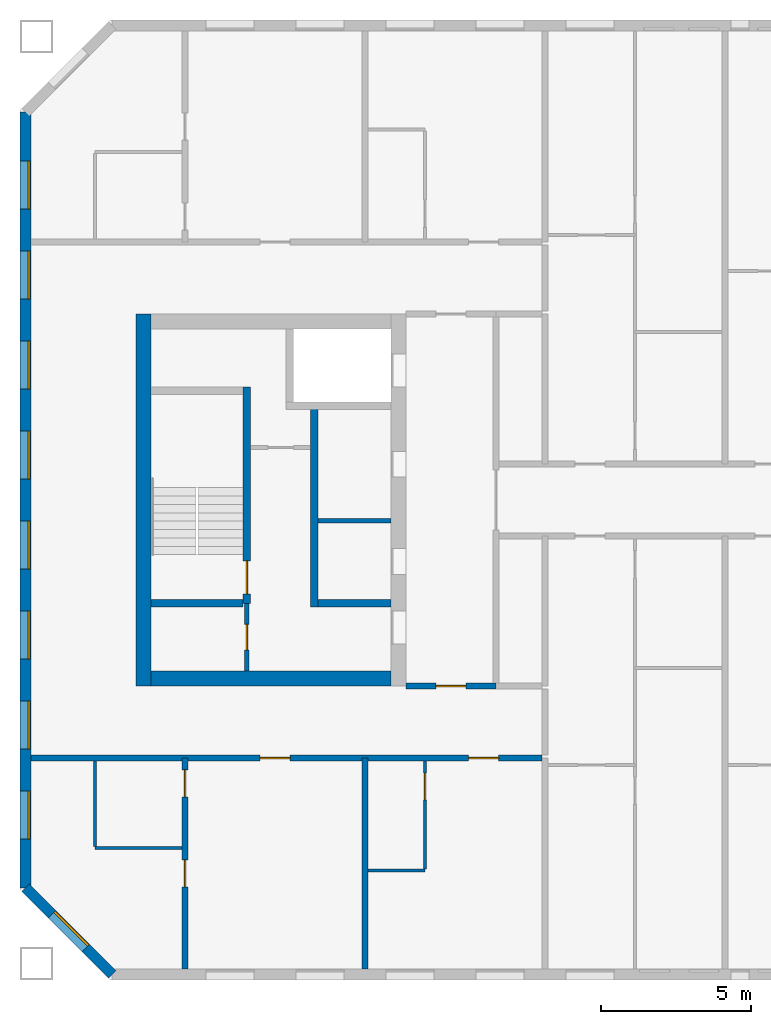
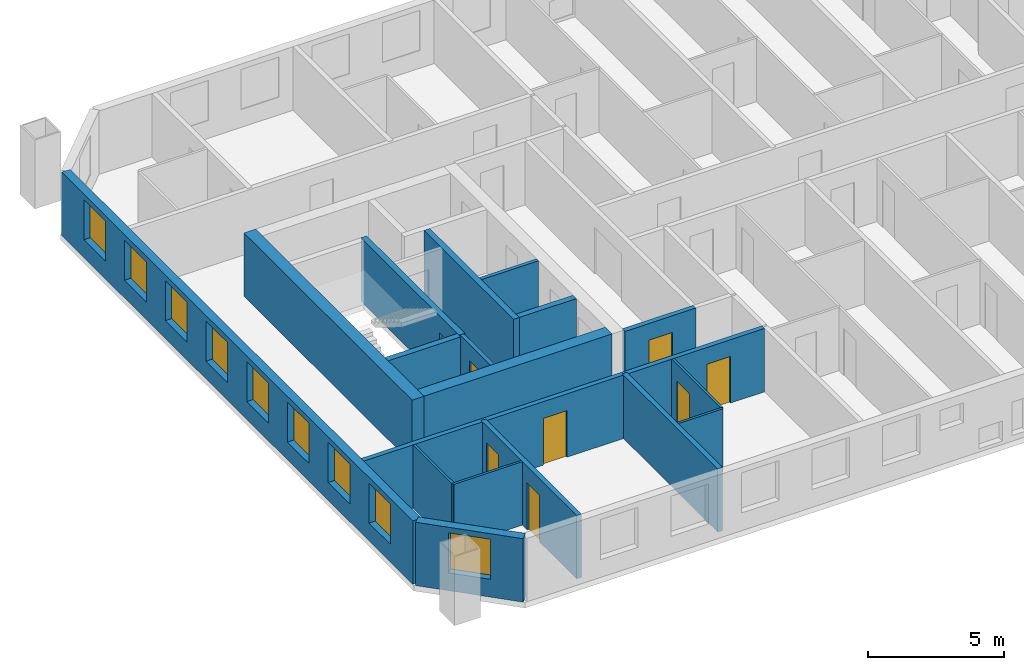
# One storey, part 2 of 15: 18 walls, 9 windows, 8 doors, 17 openings.
"""IFC4 building model written with IfcOpenShell, lengths in metres."""

from ifc_helpers import new_model, si_unit, direction, frame, frame_2d, origin, place, context, subcontext, project, spatial, rectangle, extrude, material, layer, layer_set, type_object, element, fill, save


model = new_model("IFC4")

# Units and contexts
model_context = context("Model", 3, precision=1e-05, world=origin(), true_north=direction((0.0, 1.0)))
body_context = subcontext(model_context, "Body", "Model", "MODEL_VIEW")
ifc_project = project(units=[si_unit("LENGTHUNIT", "METRE"), si_unit("AREAUNIT", "SQUARE_METRE"), si_unit("VOLUMEUNIT", "CUBIC_METRE"), si_unit("PLANEANGLEUNIT", "RADIAN"), si_unit("MASSUNIT", "GRAM", prefix="KILO")], contexts=[model_context])

# Site, building, storey
site_placement = place(None, origin())
site = spatial("IfcSite", under=ifc_project, at=site_placement, CompositionType="ELEMENT")
building_placement = place(site_placement, origin())
building = spatial("IfcBuilding", under=site, at=building_placement, Name="Tuart Gate Housing", CompositionType="ELEMENT")
storey_placement = place(building_placement, frame((0.0, 0.0, 164.0)))
storey = spatial("IfcBuildingStorey", under=building, at=storey_placement, Name="L46", CompositionType="ELEMENT", Elevation=164.0)

# Wall, opening, window
ifc_material_1 = material(Name="Brick", Category="masonry")
ifc_layer_1 = layer(ifc_material_1, 0.360107421875)
ifc_layer_set_1 = layer_set([ifc_layer_1], Name="Brick pier and spandrel wall 360")
wall_type_1 = type_object("IfcWallType", Name="Brick pier and spandrel wall 360", PredefinedType="STANDARD", material=ifc_layer_set_1)
wall_1_placement = place(storey_placement, frame((28.679931640625, 57.07470703125, 0.0), z_axis=(0.0, 0.0, 1.0), x_axis=(0.707106781187, -0.707106781187, 0.0)))
wall_1 = element("IfcWall", 1, at=wall_1_placement, inside=storey, type_object=wall_type_1, Name="External wall A-SW L46", PredefinedType="STANDARD", context=body_context, shape_type="SweptSolid", body=[
    extrude(rectangle(XDim=4.09375, YDim=0.360107421875, at=frame_2d((2.046875, 0.0))), origin(), (0.0, 0.0, 1.0), 2.85009765625),
])
opening_1_placement = place(wall_1_placement, frame((1.2470703125, 0.0, 0.800048828125)))
opening_1 = element("IfcOpeningElement", 2, at=opening_1_placement, cuts=wall_1, Name="Opening W1", PredefinedType="OPENING", context=body_context, shape_type="SweptSolid", body=[
    extrude(rectangle(XDim=1.60009765625, YDim=1.800048828125, at=frame_2d((0.800048828125, 0.89990234375))), frame((0.0, 0.18994140625, 0.0), z_axis=(0.0, -1.0, 0.0), x_axis=(1.0, 0.0, 0.0)), (0.0, 0.0, 1.0), 0.380126953125),
])
ifc_material_2 = material(Name="Aluminium frame with clear glass", Category="aluminium")
window_type = type_object("IfcWindowType", Name="Punched window 1600 x 1800", PartitioningType="SINGLE_PANEL", PredefinedType="WINDOW", material=ifc_material_2)
window_1_placement = place(opening_1_placement, origin())
window_1 = element("IfcWindow", 3, at=window_1_placement, inside=storey, type_object=window_type, Name="Window W1", OverallHeight=1.800048828125, OverallWidth=1.60009765625, PartitioningType="SINGLE_PANEL", PredefinedType="WINDOW", context=body_context, shape_type="SweptSolid", body=[
    extrude(rectangle(XDim=1.60009765625, YDim=1.800048828125, at=frame_2d((0.800048828125, 0.89990234375))), frame((0.0, 0.150146484375, 0.0), z_axis=(0.0, -1.0, 0.0), x_axis=(1.0, 0.0, 0.0)), (0.0, 0.0, 1.0), 0.06005859375),
])
fill(opening_1, window_1)

# Wall, openings, windows
wall_2_placement = place(storey_placement, frame((28.679931640625, 82.92529296875, 0.0), z_axis=(0.0, 0.0, 1.0), x_axis=(0.0, -1.0, 0.0)))
wall_2 = element("IfcWall", 4, at=wall_2_placement, inside=storey, type_object=wall_type_1, Name="External wall A-W L46", PredefinedType="STANDARD", context=body_context, shape_type="SweptSolid", body=[
    extrude(rectangle(XDim=25.850830078125, YDim=0.360107421875, at=frame_2d((12.92529296875, 0.0))), origin(), (0.0, 0.0, 1.0), 2.85009765625),
])
opening_2_placement = place(wall_2_placement, frame((1.62548828125, 0.0, 0.800048828125)))
opening_2 = element("IfcOpeningElement", 5, at=opening_2_placement, cuts=wall_2, Name="Opening W1", PredefinedType="OPENING", context=body_context, shape_type="SweptSolid", body=[
    extrude(rectangle(XDim=1.60009765625, YDim=1.800048828125, at=frame_2d((0.800048828125, 0.89990234375))), frame((0.0, 0.18994140625, 0.0), z_axis=(0.0, -1.0, 0.0), x_axis=(1.0, 0.0, 0.0)), (0.0, 0.0, 1.0), 0.380126953125),
])
opening_3_placement = place(wall_2_placement, frame((4.62548828125, 0.0, 0.800048828125)))
opening_3 = element("IfcOpeningElement", 6, at=opening_3_placement, cuts=wall_2, Name="Opening W1", PredefinedType="OPENING", context=body_context, shape_type="SweptSolid", body=[
    extrude(rectangle(XDim=1.60009765625, YDim=1.800048828125, at=frame_2d((0.800048828125, 0.89990234375))), frame((0.0, 0.18994140625, 0.0), z_axis=(0.0, -1.0, 0.0), x_axis=(1.0, 0.0, 0.0)), (0.0, 0.0, 1.0), 0.380126953125),
])
opening_4_placement = place(wall_2_placement, frame((7.62548828125, 0.0, 0.800048828125)))
opening_4 = element("IfcOpeningElement", 7, at=opening_4_placement, cuts=wall_2, Name="Opening W1", PredefinedType="OPENING", context=body_context, shape_type="SweptSolid", body=[
    extrude(rectangle(XDim=1.60009765625, YDim=1.800048828125, at=frame_2d((0.800048828125, 0.89990234375))), frame((0.0, 0.18994140625, 0.0), z_axis=(0.0, -1.0, 0.0), x_axis=(1.0, 0.0, 0.0)), (0.0, 0.0, 1.0), 0.380126953125),
])
opening_5_placement = place(wall_2_placement, frame((10.62548828125, 0.0, 0.800048828125)))
opening_5 = element("IfcOpeningElement", 8, at=opening_5_placement, cuts=wall_2, Name="Opening W1", PredefinedType="OPENING", context=body_context, shape_type="SweptSolid", body=[
    extrude(rectangle(XDim=1.60009765625, YDim=1.800048828125, at=frame_2d((0.800048828125, 0.89990234375))), frame((0.0, 0.18994140625, 0.0), z_axis=(0.0, -1.0, 0.0), x_axis=(1.0, 0.0, 0.0)), (0.0, 0.0, 1.0), 0.380126953125),
])
opening_6_placement = place(wall_2_placement, frame((13.62548828125, 0.0, 0.800048828125)))
opening_6 = element("IfcOpeningElement", 9, at=opening_6_placement, cuts=wall_2, Name="Opening W1", PredefinedType="OPENING", context=body_context, shape_type="SweptSolid", body=[
    extrude(rectangle(XDim=1.60009765625, YDim=1.800048828125, at=frame_2d((0.800048828125, 0.89990234375))), frame((0.0, 0.18994140625, 0.0), z_axis=(0.0, -1.0, 0.0), x_axis=(1.0, 0.0, 0.0)), (0.0, 0.0, 1.0), 0.380126953125),
])
opening_7_placement = place(wall_2_placement, frame((16.62548828125, 0.0, 0.800048828125)))
opening_7 = element("IfcOpeningElement", 10, at=opening_7_placement, cuts=wall_2, Name="Opening W1", PredefinedType="OPENING", context=body_context, shape_type="SweptSolid", body=[
    extrude(rectangle(XDim=1.60009765625, YDim=1.800048828125, at=frame_2d((0.800048828125, 0.89990234375))), frame((0.0, 0.18994140625, 0.0), z_axis=(0.0, -1.0, 0.0), x_axis=(1.0, 0.0, 0.0)), (0.0, 0.0, 1.0), 0.380126953125),
])
opening_8_placement = place(wall_2_placement, frame((19.62548828125, 0.0, 0.800048828125)))
opening_8 = element("IfcOpeningElement", 11, at=opening_8_placement, cuts=wall_2, Name="Opening W1", PredefinedType="OPENING", context=body_context, shape_type="SweptSolid", body=[
    extrude(rectangle(XDim=1.60009765625, YDim=1.800048828125, at=frame_2d((0.800048828125, 0.89990234375))), frame((0.0, 0.18994140625, 0.0), z_axis=(0.0, -1.0, 0.0), x_axis=(1.0, 0.0, 0.0)), (0.0, 0.0, 1.0), 0.380126953125),
])
opening_9_placement = place(wall_2_placement, frame((22.62548828125, 0.0, 0.800048828125)))
opening_9 = element("IfcOpeningElement", 12, at=opening_9_placement, cuts=wall_2, Name="Opening W1", PredefinedType="OPENING", context=body_context, shape_type="SweptSolid", body=[
    extrude(rectangle(XDim=1.60009765625, YDim=1.800048828125, at=frame_2d((0.800048828125, 0.89990234375))), frame((0.0, 0.18994140625, 0.0), z_axis=(0.0, -1.0, 0.0), x_axis=(1.0, 0.0, 0.0)), (0.0, 0.0, 1.0), 0.380126953125),
])
window_2_placement = place(opening_2_placement, origin())
window_2 = element("IfcWindow", 13, at=window_2_placement, inside=storey, type_object=window_type, Name="Window W1", OverallHeight=1.800048828125, OverallWidth=1.60009765625, PartitioningType="SINGLE_PANEL", PredefinedType="WINDOW", context=body_context, shape_type="SweptSolid", body=[
    extrude(rectangle(XDim=1.60009765625, YDim=1.800048828125, at=frame_2d((0.800048828125, 0.89990234375))), frame((0.0, 0.150146484375, 0.0), z_axis=(0.0, -1.0, 0.0), x_axis=(1.0, 0.0, 0.0)), (0.0, 0.0, 1.0), 0.06005859375),
])
fill(opening_2, window_2)
window_3_placement = place(opening_3_placement, origin())
window_3 = element("IfcWindow", 14, at=window_3_placement, inside=storey, type_object=window_type, Name="Window W1", OverallHeight=1.800048828125, OverallWidth=1.60009765625, PartitioningType="SINGLE_PANEL", PredefinedType="WINDOW", context=body_context, shape_type="SweptSolid", body=[
    extrude(rectangle(XDim=1.60009765625, YDim=1.800048828125, at=frame_2d((0.800048828125, 0.89990234375))), frame((0.0, 0.150146484375, 0.0), z_axis=(0.0, -1.0, 0.0), x_axis=(1.0, 0.0, 0.0)), (0.0, 0.0, 1.0), 0.06005859375),
])
fill(opening_3, window_3)
window_4_placement = place(opening_4_placement, origin())
window_4 = element("IfcWindow", 15, at=window_4_placement, inside=storey, type_object=window_type, Name="Window W1", OverallHeight=1.800048828125, OverallWidth=1.60009765625, PartitioningType="SINGLE_PANEL", PredefinedType="WINDOW", context=body_context, shape_type="SweptSolid", body=[
    extrude(rectangle(XDim=1.60009765625, YDim=1.800048828125, at=frame_2d((0.800048828125, 0.89990234375))), frame((0.0, 0.150146484375, 0.0), z_axis=(0.0, -1.0, 0.0), x_axis=(1.0, 0.0, 0.0)), (0.0, 0.0, 1.0), 0.06005859375),
])
fill(opening_4, window_4)
window_5_placement = place(opening_5_placement, origin())
window_5 = element("IfcWindow", 16, at=window_5_placement, inside=storey, type_object=window_type, Name="Window W1", OverallHeight=1.800048828125, OverallWidth=1.60009765625, PartitioningType="SINGLE_PANEL", PredefinedType="WINDOW", context=body_context, shape_type="SweptSolid", body=[
    extrude(rectangle(XDim=1.60009765625, YDim=1.800048828125, at=frame_2d((0.800048828125, 0.89990234375))), frame((0.0, 0.150146484375, 0.0), z_axis=(0.0, -1.0, 0.0), x_axis=(1.0, 0.0, 0.0)), (0.0, 0.0, 1.0), 0.06005859375),
])
fill(opening_5, window_5)
window_6_placement = place(opening_6_placement, origin())
window_6 = element("IfcWindow", 17, at=window_6_placement, inside=storey, type_object=window_type, Name="Window W1", OverallHeight=1.800048828125, OverallWidth=1.60009765625, PartitioningType="SINGLE_PANEL", PredefinedType="WINDOW", context=body_context, shape_type="SweptSolid", body=[
    extrude(rectangle(XDim=1.60009765625, YDim=1.800048828125, at=frame_2d((0.800048828125, 0.89990234375))), frame((0.0, 0.150146484375, 0.0), z_axis=(0.0, -1.0, 0.0), x_axis=(1.0, 0.0, 0.0)), (0.0, 0.0, 1.0), 0.06005859375),
])
fill(opening_6, window_6)
window_7_placement = place(opening_7_placement, origin())
window_7 = element("IfcWindow", 18, at=window_7_placement, inside=storey, type_object=window_type, Name="Window W1", OverallHeight=1.800048828125, OverallWidth=1.60009765625, PartitioningType="SINGLE_PANEL", PredefinedType="WINDOW", context=body_context, shape_type="SweptSolid", body=[
    extrude(rectangle(XDim=1.60009765625, YDim=1.800048828125, at=frame_2d((0.800048828125, 0.89990234375))), frame((0.0, 0.150146484375, 0.0), z_axis=(0.0, -1.0, 0.0), x_axis=(1.0, 0.0, 0.0)), (0.0, 0.0, 1.0), 0.06005859375),
])
fill(opening_7, window_7)
window_8_placement = place(opening_8_placement, origin())
window_8 = element("IfcWindow", 19, at=window_8_placement, inside=storey, type_object=window_type, Name="Window W1", OverallHeight=1.800048828125, OverallWidth=1.60009765625, PartitioningType="SINGLE_PANEL", PredefinedType="WINDOW", context=body_context, shape_type="SweptSolid", body=[
    extrude(rectangle(XDim=1.60009765625, YDim=1.800048828125, at=frame_2d((0.800048828125, 0.89990234375))), frame((0.0, 0.150146484375, 0.0), z_axis=(0.0, -1.0, 0.0), x_axis=(1.0, 0.0, 0.0)), (0.0, 0.0, 1.0), 0.06005859375),
])
fill(opening_8, window_8)
window_9_placement = place(opening_9_placement, origin())
window_9 = element("IfcWindow", 20, at=window_9_placement, inside=storey, type_object=window_type, Name="Window W1", OverallHeight=1.800048828125, OverallWidth=1.60009765625, PartitioningType="SINGLE_PANEL", PredefinedType="WINDOW", context=body_context, shape_type="SweptSolid", body=[
    extrude(rectangle(XDim=1.60009765625, YDim=1.800048828125, at=frame_2d((0.800048828125, 0.89990234375))), frame((0.0, 0.150146484375, 0.0), z_axis=(0.0, -1.0, 0.0), x_axis=(1.0, 0.0, 0.0)), (0.0, 0.0, 1.0), 0.06005859375),
])
fill(opening_9, window_9)

# Wall
ifc_material_3 = material(Name="Plasterboard partition")
ifc_layer_2 = layer(ifc_material_3, 0.14990234375)
ifc_layer_set_2 = layer_set([ifc_layer_2], Name="Core partition 150")
wall_type_2 = type_object("IfcWallType", Name="Core partition 150", PredefinedType="PARTITIONING", material=ifc_layer_set_2)
wall_3_placement = place(storey_placement, frame((40.860107421875, 69.300048828125, 0.0), z_axis=(0.0, 0.0, 1.0), x_axis=(-1.0, 0.0, 0.0)))
element("IfcWall", 21, at=wall_3_placement, inside=storey, type_object=wall_type_2, Name="Core partition AK.4", PredefinedType="PARTITIONING", context=body_context, shape_type="SweptSolid", body=[
    extrude(rectangle(XDim=2.425048828125, YDim=0.14990234375, at=frame_2d((1.21240234375, 0.0))), origin(), (0.0, 0.0, 1.0), 2.85009765625),
])

# Wall, opening, door
wall_4_placement = place(storey_placement, frame((36.06005859375, 66.550048828125, 0.0), z_axis=(0.0, 0.0, 1.0), x_axis=(0.0, -1.0, 0.0)))
wall_4 = element("IfcWall", 22, at=wall_4_placement, inside=storey, type_object=wall_type_2, Name="Core partition AK.10", PredefinedType="PARTITIONING", context=body_context, shape_type="SweptSolid", body=[
    extrude(rectangle(XDim=2.25, YDim=0.14990234375, at=frame_2d((1.125, 0.0))), origin(), (0.0, 0.0, 1.0), 2.85009765625),
])
opening_10_placement = place(wall_4_placement, frame((0.699951171875, 0.0, 0.0)))
opening_10 = element("IfcOpeningElement", 23, at=opening_10_placement, cuts=wall_4, Name="Opening D1659", PredefinedType="OPENING", context=body_context, shape_type="SweptSolid", body=[
    extrude(rectangle(XDim=0.85009765625, YDim=2.10009765625, at=frame_2d((0.425048828125, 1.050048828125))), frame((0.0, 0.0849609375, 0.0), z_axis=(0.0, -1.0, 0.0), x_axis=(1.0, 0.0, 0.0)), (0.0, 0.0, 1.0), 0.169921875),
])
ifc_material_4 = material(Name="Steel fire door", Category="steel")
door_type_1 = type_object("IfcDoorType", Name="Service door 850 x 2100 RH", OperationType="SINGLE_SWING_RIGHT", PredefinedType="DOOR", material=ifc_material_4)
door_1_placement = place(opening_10_placement, frame((0.85009765625, 0.0, 0.0), z_axis=(0.0, 0.0, 1.0), x_axis=(-1.0, 0.0, 0.0)))
door_1 = element("IfcDoor", 24, at=door_1_placement, inside=storey, type_object=door_type_1, Name="Service room door AK.ST", OperationType="SINGLE_SWING_RIGHT", OverallHeight=2.10009765625, OverallWidth=0.85009765625, PredefinedType="DOOR", context=body_context, shape_type="SweptSolid", body=[
    extrude(rectangle(XDim=0.85009765625, YDim=2.10009765625, at=frame_2d((0.425048828125, 1.050048828125))), frame((0.0, 0.025146484375, 0.0), z_axis=(0.0, -1.0, 0.0), x_axis=(1.0, 0.0, 0.0)), (0.0, 0.0, 1.0), 0.050048828125),
])
fill(opening_10, door_1)

# Walls
ifc_material_5 = material(Name="Concrete C40", Category="concrete")
ifc_layer_3 = layer(ifc_material_5, 0.25)
ifc_layer_set_3 = layer_set([ifc_layer_3], Name="Core wall 250 C40")
wall_type_3 = type_object("IfcWallType", Name="Core wall 250 C40", PredefinedType="SHEAR", material=ifc_layer_set_3)
wall_5_placement = place(storey_placement, frame((40.860107421875, 66.550048828125, 0.0), z_axis=(0.0, 0.0, 1.0), x_axis=(-1.0, 0.0, 0.0)))
element("IfcWall", 25, at=wall_5_placement, inside=storey, type_object=wall_type_3, Name="Core wall AK.5", PredefinedType="SHEAR", context=body_context, shape_type="SweptSolid", body=[
    extrude(rectangle(XDim=2.425048828125, YDim=0.25, at=frame_2d((1.21240234375, 0.0))), origin(), (0.0, 0.0, 1.0), 2.85009765625),
])
wall_6_placement = place(storey_placement, frame((35.93505859375, 66.550048828125, 0.0), z_axis=(0.0, 0.0, 1.0), x_axis=(-1.0, 0.0, 0.0)))
element("IfcWall", 26, at=wall_6_placement, inside=storey, type_object=wall_type_3, Name="Core wall AK.6", PredefinedType="SHEAR", context=body_context, shape_type="SweptSolid", body=[
    extrude(rectangle(XDim=3.074951171875, YDim=0.25, at=frame_2d((1.53759765625, 0.0))), origin(), (0.0, 0.0, 1.0), 2.85009765625),
])
wall_7_placement = place(storey_placement, frame((38.31005859375, 73.02490234375, 0.0), z_axis=(0.0, 0.0, 1.0), x_axis=(0.0, -1.0, 0.0)))
element("IfcWall", 27, at=wall_7_placement, inside=storey, type_object=wall_type_3, Name="Core wall AK.7", PredefinedType="SHEAR", context=body_context, shape_type="SweptSolid", body=[
    extrude(rectangle(XDim=6.599853515625, YDim=0.25, at=frame_2d((3.2998046875, 0.0))), origin(), (0.0, 0.0, 1.0), 2.85009765625),
])

# Wall, opening, door
wall_8_placement = place(storey_placement, frame((36.06005859375, 73.77490234375, 0.0), z_axis=(0.0, 0.0, 1.0), x_axis=(0.0, -1.0, 0.0)))
wall_8 = element("IfcWall", 28, at=wall_8_placement, inside=storey, type_object=wall_type_3, Name="Core wall AK.9", PredefinedType="SHEAR", context=body_context, shape_type="SweptSolid", body=[
    extrude(rectangle(XDim=7.224853515625, YDim=0.25, at=frame_2d((3.6123046875, 0.0))), origin(), (0.0, 0.0, 1.0), 2.85009765625),
])
opening_11_placement = place(wall_8_placement, frame((5.800048828125, 0.0, 0.0)))
opening_11 = element("IfcOpeningElement", 29, at=opening_11_placement, cuts=wall_8, Name="Opening D1648", PredefinedType="OPENING", context=body_context, shape_type="SweptSolid", body=[
    extrude(rectangle(XDim=1.10009765625, YDim=2.10009765625, at=frame_2d((0.550048828125, 1.050048828125))), frame((0.0, 0.135009765625, 0.0), z_axis=(0.0, -1.0, 0.0), x_axis=(1.0, 0.0, 0.0)), (0.0, 0.0, 1.0), 0.27001953125),
])
ifc_material_6 = material(Name="Steel fire door", Category="steel")
door_type_2 = type_object("IfcDoorType", Name="Stair door 1100 x 2100", OperationType="SINGLE_SWING_LEFT", PredefinedType="DOOR", material=ifc_material_6)
door_2_placement = place(opening_11_placement, frame((1.10009765625, 0.0, 0.0), z_axis=(0.0, 0.0, 1.0), x_axis=(-1.0, 0.0, 0.0)))
door_2 = element("IfcDoor", 30, at=door_2_placement, inside=storey, type_object=door_type_2, Name="Stair door AK.SD", OperationType="SINGLE_SWING_LEFT", OverallHeight=2.10009765625, OverallWidth=1.10009765625, PredefinedType="DOOR", context=body_context, shape_type="SweptSolid", body=[
    extrude(rectangle(XDim=1.10009765625, YDim=2.10009765625, at=frame_2d((0.550048828125, 1.050048828125))), frame((0.0, 0.025146484375, 0.0), z_axis=(0.0, -1.0, 0.0), x_axis=(1.0, 0.0, 0.0)), (0.0, 0.0, 1.0), 0.050048828125),
])
fill(opening_11, door_2)

# Walls
ifc_material_7 = material(Name="Concrete C40", Category="concrete")
ifc_layer_4 = layer(ifc_material_7, 0.5)
ifc_layer_set_4 = layer_set([ifc_layer_4], Name="Core wall 500 C40")
wall_type_4 = type_object("IfcWallType", Name="Core wall 500 C40", PredefinedType="SHEAR", material=ifc_layer_set_4)
wall_9_placement = place(storey_placement, frame((32.610107421875, 76.199951171875, 0.0), z_axis=(0.0, 0.0, 1.0), x_axis=(0.0, -1.0, 0.0)))
element("IfcWall", 31, at=wall_9_placement, inside=storey, type_object=wall_type_4, Name="Core wall AK back", PredefinedType="SHEAR", context=body_context, shape_type="SweptSolid", body=[
    extrude(rectangle(XDim=12.39990234375, YDim=0.5, at=frame_2d((6.199951171875, 0.0))), origin(), (0.0, 0.0, 1.0), 2.85009765625),
])
wall_10_placement = place(storey_placement, frame((40.860107421875, 64.050048828125, 0.0), z_axis=(0.0, 0.0, 1.0), x_axis=(-1.0, 0.0, 0.0)))
element("IfcWall", 32, at=wall_10_placement, inside=storey, type_object=wall_type_4, Name="Core wall AK north", PredefinedType="SHEAR", context=body_context, shape_type="SweptSolid", body=[
    extrude(rectangle(XDim=8.0, YDim=0.5, at=frame_2d((4.0, 0.0))), origin(), (0.0, 0.0, 1.0), 2.85009765625),
])

# Wall, openings, doors
ifc_material_8 = material(Name="Concrete masonry 15 MPa", Category="masonry")
ifc_layer_5 = layer(ifc_material_8, 0.199951171875)
ifc_layer_set_5 = layer_set([ifc_layer_5], Name="Corridor wall masonry 200")
wall_type_5 = type_object("IfcWallType", Name="Corridor wall masonry 200", PredefinedType="PARTITIONING", material=ifc_layer_set_5)
wall_11_placement = place(storey_placement, frame((28.860107421875, 61.39990234375, 0.0), z_axis=(0.0, 0.0, 1.0), x_axis=(1.0, 0.0, 0.0)))
wall_11 = element("IfcWall", 33, at=wall_11_placement, inside=storey, type_object=wall_type_5, Name="Corridor wall masonry 200", PredefinedType="PARTITIONING", context=body_context, shape_type="SweptSolid", body=[
    extrude(rectangle(XDim=17.039794921875, YDim=0.199951171875, at=frame_2d((8.52001953125, 0.0))), origin(), (0.0, 0.0, 1.0), 2.85009765625),
])
opening_12_placement = place(wall_11_placement, frame((14.590087890625, 0.0, 0.0)))
opening_12 = element("IfcOpeningElement", 34, at=opening_12_placement, cuts=wall_11, Name="Opening D1670", PredefinedType="OPENING", context=body_context, shape_type="SweptSolid", body=[
    extrude(rectangle(XDim=1.0, YDim=2.10009765625, at=frame_2d((0.5, 1.050048828125))), frame((0.0, 0.10986328125, 0.0), z_axis=(0.0, -1.0, 0.0), x_axis=(1.0, 0.0, 0.0)), (0.0, 0.0, 1.0), 0.219970703125),
])
opening_13_placement = place(wall_11_placement, frame((7.639892578125, 0.0, 0.0)))
opening_13 = element("IfcOpeningElement", 35, at=opening_13_placement, cuts=wall_11, Name="Opening D1671", PredefinedType="OPENING", context=body_context, shape_type="SweptSolid", body=[
    extrude(rectangle(XDim=1.0, YDim=2.10009765625, at=frame_2d((0.5, 1.050048828125))), frame((0.0, 0.10986328125, 0.0), z_axis=(0.0, -1.0, 0.0), x_axis=(1.0, 0.0, 0.0)), (0.0, 0.0, 1.0), 0.219970703125),
])
ifc_material_9 = material(Name="Timber door leaf in steel frame", Category="steel")
door_type_3 = type_object("IfcDoorType", Name="Flat entrance door 1000 RH", OperationType="SINGLE_SWING_RIGHT", PredefinedType="DOOR", material=ifc_material_9)
door_3_placement = place(opening_12_placement, frame((1.0, 0.0, 0.0), z_axis=(0.0, 0.0, 1.0), x_axis=(-1.0, 0.0, 0.0)))
door_3 = element("IfcDoor", 36, at=door_3_placement, inside=storey, type_object=door_type_3, Name="Flat entrance door", OperationType="SINGLE_SWING_RIGHT", OverallHeight=2.10009765625, OverallWidth=1.0, PredefinedType="DOOR", context=body_context, shape_type="SweptSolid", body=[
    extrude(rectangle(XDim=1.0, YDim=2.10009765625, at=frame_2d((0.5, 1.050048828125))), frame((0.0, 0.025146484375, 0.0), z_axis=(0.0, -1.0, 0.0), x_axis=(1.0, 0.0, 0.0)), (0.0, 0.0, 1.0), 0.050048828125),
])
fill(opening_12, door_3)
door_4_placement = place(opening_13_placement, frame((1.0, 0.0, 0.0), z_axis=(0.0, 0.0, 1.0), x_axis=(-1.0, 0.0, 0.0)))
door_4 = element("IfcDoor", 37, at=door_4_placement, inside=storey, type_object=door_type_3, Name="Flat entrance door", OperationType="SINGLE_SWING_RIGHT", OverallHeight=2.10009765625, OverallWidth=1.0, PredefinedType="DOOR", context=body_context, shape_type="SweptSolid", body=[
    extrude(rectangle(XDim=1.0, YDim=2.10009765625, at=frame_2d((0.5, 1.050048828125))), frame((0.0, 0.025146484375, 0.0), z_axis=(0.0, -1.0, 0.0), x_axis=(1.0, 0.0, 0.0)), (0.0, 0.0, 1.0), 0.050048828125),
])
fill(opening_13, door_4)

# Wall, opening, door
ifc_material_10 = material(Name="Concrete masonry 15 MPa", Category="masonry")
ifc_layer_6 = layer(ifc_material_10, 0.199951171875)
ifc_layer_set_6 = layer_set([ifc_layer_6], Name="Enclosure wall masonry 200")
wall_type_6 = type_object("IfcWallType", Name="Enclosure wall masonry 200", PredefinedType="PARTITIONING", material=ifc_layer_set_6)
wall_12_placement = place(storey_placement, frame((41.360107421875, 63.800048828125, 0.0), z_axis=(0.0, 0.0, 1.0), x_axis=(1.0, 0.0, 0.0)))
wall_12 = element("IfcWall", 38, at=wall_12_placement, inside=storey, type_object=wall_type_6, Name="Enclosure wall masonry 200", PredefinedType="PARTITIONING", context=body_context, shape_type="SweptSolid", body=[
    extrude(rectangle(XDim=3.0, YDim=0.199951171875, at=frame_2d((1.5, 0.0))), origin(), (0.0, 0.0, 1.0), 2.85009765625),
])
opening_14_placement = place(wall_12_placement, frame((1.0, 0.0, 0.0)))
opening_14 = element("IfcOpeningElement", 39, at=opening_14_placement, cuts=wall_12, Name="Opening D1661", PredefinedType="OPENING", context=body_context, shape_type="SweptSolid", body=[
    extrude(rectangle(XDim=1.0, YDim=2.10009765625, at=frame_2d((0.5, 1.050048828125))), frame((0.0, 0.10986328125, 0.0), z_axis=(0.0, -1.0, 0.0), x_axis=(1.0, 0.0, 0.0)), (0.0, 0.0, 1.0), 0.219970703125),
])
ifc_material_11 = material(Name="Timber door leaf in steel frame", Category="steel")
door_type_4 = type_object("IfcDoorType", Name="Fire door 1000", OperationType="SINGLE_SWING_LEFT", PredefinedType="DOOR", material=ifc_material_11)
door_5_placement = place(opening_14_placement, frame((1.0, 0.0, 0.0), z_axis=(0.0, 0.0, 1.0), x_axis=(-1.0, 0.0, 0.0)))
door_5 = element("IfcDoor", 40, at=door_5_placement, inside=storey, type_object=door_type_4, Name="Fire door", OperationType="SINGLE_SWING_LEFT", OverallHeight=2.10009765625, OverallWidth=1.0, PredefinedType="DOOR", context=body_context, shape_type="SweptSolid", body=[
    extrude(rectangle(XDim=1.0, YDim=2.10009765625, at=frame_2d((0.5, 1.050048828125))), frame((0.0, 0.025146484375, 0.0), z_axis=(0.0, -1.0, 0.0), x_axis=(1.0, 0.0, 0.0)), (0.0, 0.0, 1.0), 0.050048828125),
])
fill(opening_14, door_5)

# Walls
ifc_material_12 = material(Name="Gypsum board on steel studs", Category="steel")
ifc_layer_7 = layer(ifc_material_12, 0.10009765625)
ifc_layer_set_7 = layer_set([ifc_layer_7], Name="Partition 100")
wall_type_7 = type_object("IfcWallType", Name="Partition 100", PredefinedType="PARTITIONING", material=ifc_layer_set_7)
wall_13_placement = place(storey_placement, frame((40.10009765625, 57.64990234375, 0.0), z_axis=(0.0, 0.0, 1.0), x_axis=(1.0, 0.0, 0.0)))
element("IfcWall", 41, at=wall_13_placement, inside=storey, type_object=wall_type_7, Name="Partition 100", PredefinedType="PARTITIONING", context=body_context, shape_type="SweptSolid", body=[
    extrude(rectangle(XDim=1.89990234375, YDim=0.10009765625, at=frame_2d((0.949951171875, 0.0))), origin(), (0.0, 0.0, 1.0), 2.85009765625),
])
wall_14_placement = place(storey_placement, frame((31.0, 58.39990234375, 0.0), z_axis=(0.0, 0.0, 1.0), x_axis=(1.0, 0.0, 0.0)))
element("IfcWall", 42, at=wall_14_placement, inside=storey, type_object=wall_type_7, Name="Partition 100", PredefinedType="PARTITIONING", context=body_context, shape_type="SweptSolid", body=[
    extrude(rectangle(XDim=2.89990234375, YDim=0.10009765625, at=frame_2d((1.449951171875, 0.0))), origin(), (0.0, 0.0, 1.0), 2.85009765625),
])
wall_15_placement = place(storey_placement, frame((31.0, 58.449951171875, 0.0), z_axis=(0.0, 0.0, 1.0), x_axis=(0.0, 1.0, 0.0)))
element("IfcWall", 43, at=wall_15_placement, inside=storey, type_object=wall_type_7, Name="Partition 100", PredefinedType="PARTITIONING", context=body_context, shape_type="SweptSolid", body=[
    extrude(rectangle(XDim=2.85009765625, YDim=0.10009765625, at=frame_2d((1.425048828125, 0.0))), origin(), (0.0, 0.0, 1.0), 2.85009765625),
])

# Wall, opening, door
wall_16_placement = place(storey_placement, frame((42.0, 57.699951171875, 0.0), z_axis=(0.0, 0.0, 1.0), x_axis=(0.0, 1.0, 0.0)))
wall_16 = element("IfcWall", 44, at=wall_16_placement, inside=storey, type_object=wall_type_7, Name="Partition 100", PredefinedType="PARTITIONING", context=body_context, shape_type="SweptSolid", body=[
    extrude(rectangle(XDim=3.60009765625, YDim=0.10009765625, at=frame_2d((1.800048828125, 0.0))), origin(), (0.0, 0.0, 1.0), 2.85009765625),
])
opening_15_placement = place(wall_16_placement, frame((2.300048828125, 0.0, 0.0)))
opening_15 = element("IfcOpeningElement", 45, at=opening_15_placement, cuts=wall_16, Name="Opening D1676", PredefinedType="OPENING", context=body_context, shape_type="SweptSolid", body=[
    extrude(rectangle(XDim=0.89990234375, YDim=2.10009765625, at=frame_2d((0.449951171875, 1.050048828125))), frame((0.0, 0.06005859375, 0.0), z_axis=(0.0, -1.0, 0.0), x_axis=(1.0, 0.0, 0.0)), (0.0, 0.0, 1.0), 0.1201171875),
])
ifc_material_13 = material(Name="Timber door leaf in steel frame", Category="steel")
door_type_5 = type_object("IfcDoorType", Name="Bathroom door 900 RH", OperationType="SINGLE_SWING_RIGHT", PredefinedType="DOOR", material=ifc_material_13)
door_6_placement = place(opening_15_placement, origin())
door_6 = element("IfcDoor", 46, at=door_6_placement, inside=storey, type_object=door_type_5, Name="Bathroom door", OperationType="SINGLE_SWING_RIGHT", OverallHeight=2.10009765625, OverallWidth=0.89990234375, PredefinedType="DOOR", context=body_context, shape_type="SweptSolid", body=[
    extrude(rectangle(XDim=0.89990234375, YDim=2.10009765625, at=frame_2d((0.449951171875, 1.050048828125))), frame((0.0, 0.02490234375, 0.0), z_axis=(0.0, -1.0, 0.0), x_axis=(1.0, 0.0, 0.0)), (0.0, 0.0, 1.0), 0.050048828125),
])
fill(opening_15, door_6)

# Wall, openings, doors
ifc_material_14 = material(Name="Concrete C40", Category="concrete")
ifc_layer_8 = layer(ifc_material_14, 0.199951171875)
ifc_layer_set_8 = layer_set([ifc_layer_8], Name="Party wall concrete C40 200")
wall_type_8 = type_object("IfcWallType", Name="Party wall concrete C40 200", PredefinedType="SOLIDWALL", material=ifc_layer_set_8)
wall_17_placement = place(storey_placement, frame((34.0, 54.360107421875, 0.0), z_axis=(0.0, 0.0, 1.0), x_axis=(0.0, 1.0, 0.0)))
wall_17 = element("IfcWall", 47, at=wall_17_placement, inside=storey, type_object=wall_type_8, Name="Party wall concrete C40 200", PredefinedType="SOLIDWALL", context=body_context, shape_type="SweptSolid", body=[
    extrude(rectangle(XDim=7.039794921875, YDim=0.199951171875, at=frame_2d((3.52001953125, 0.0))), origin(), (0.0, 0.0, 1.0), 2.85009765625),
])
opening_16_placement = place(wall_17_placement, frame((2.739990234375, 0.0, 0.0)))
opening_16 = element("IfcOpeningElement", 48, at=opening_16_placement, cuts=wall_17, Name="Opening D1680", PredefinedType="OPENING", context=body_context, shape_type="SweptSolid", body=[
    extrude(rectangle(XDim=0.89990234375, YDim=2.10009765625, at=frame_2d((0.449951171875, 1.050048828125))), frame((0.0, 0.10986328125, 0.0), z_axis=(0.0, -1.0, 0.0), x_axis=(1.0, 0.0, 0.0)), (0.0, 0.0, 1.0), 0.219970703125),
])
opening_17_placement = place(wall_17_placement, frame((5.739990234375, 0.0, 0.0)))
opening_17 = element("IfcOpeningElement", 49, at=opening_17_placement, cuts=wall_17, Name="Opening D1679", PredefinedType="OPENING", context=body_context, shape_type="SweptSolid", body=[
    extrude(rectangle(XDim=0.89990234375, YDim=2.10009765625, at=frame_2d((0.449951171875, 1.050048828125))), frame((0.0, 0.10986328125, 0.0), z_axis=(0.0, -1.0, 0.0), x_axis=(1.0, 0.0, 0.0)), (0.0, 0.0, 1.0), 0.219970703125),
])
door_7_placement = place(opening_17_placement, origin())
door_7 = element("IfcDoor", 50, at=door_7_placement, inside=storey, type_object=door_type_5, Name="Bathroom door", OperationType="SINGLE_SWING_RIGHT", OverallHeight=2.10009765625, OverallWidth=0.89990234375, PredefinedType="DOOR", context=body_context, shape_type="SweptSolid", body=[
    extrude(rectangle(XDim=0.89990234375, YDim=2.10009765625, at=frame_2d((0.449951171875, 1.050048828125))), frame((0.0, 0.02490234375, 0.0), z_axis=(0.0, -1.0, 0.0), x_axis=(1.0, 0.0, 0.0)), (0.0, 0.0, 1.0), 0.050048828125),
])
fill(opening_17, door_7)
ifc_material_15 = material(Name="Timber door leaf in steel frame", Category="steel")
door_type_6 = type_object("IfcDoorType", Name="Internal door 900 RH", OperationType="SINGLE_SWING_RIGHT", PredefinedType="DOOR", material=ifc_material_15)
door_8_placement = place(opening_16_placement, origin())
door_8 = element("IfcDoor", 51, at=door_8_placement, inside=storey, type_object=door_type_6, Name="Internal door", OperationType="SINGLE_SWING_RIGHT", OverallHeight=2.10009765625, OverallWidth=0.89990234375, PredefinedType="DOOR", context=body_context, shape_type="SweptSolid", body=[
    extrude(rectangle(XDim=0.89990234375, YDim=2.10009765625, at=frame_2d((0.449951171875, 1.050048828125))), frame((0.0, 0.02490234375, 0.0), z_axis=(0.0, -1.0, 0.0), x_axis=(1.0, 0.0, 0.0)), (0.0, 0.0, 1.0), 0.050048828125),
])
fill(opening_16, door_8)

# Wall
wall_18_placement = place(storey_placement, frame((40.0, 54.360107421875, 0.0), z_axis=(0.0, 0.0, 1.0), x_axis=(0.0, 1.0, 0.0)))
element("IfcWall", 52, at=wall_18_placement, inside=storey, type_object=wall_type_8, Name="Party wall concrete C40 200", PredefinedType="SOLIDWALL", context=body_context, shape_type="SweptSolid", body=[
    extrude(rectangle(XDim=7.039794921875, YDim=0.199951171875, at=frame_2d((3.52001953125, 0.0))), origin(), (0.0, 0.0, 1.0), 2.85009765625),
])

save(model, "model.ifc")
